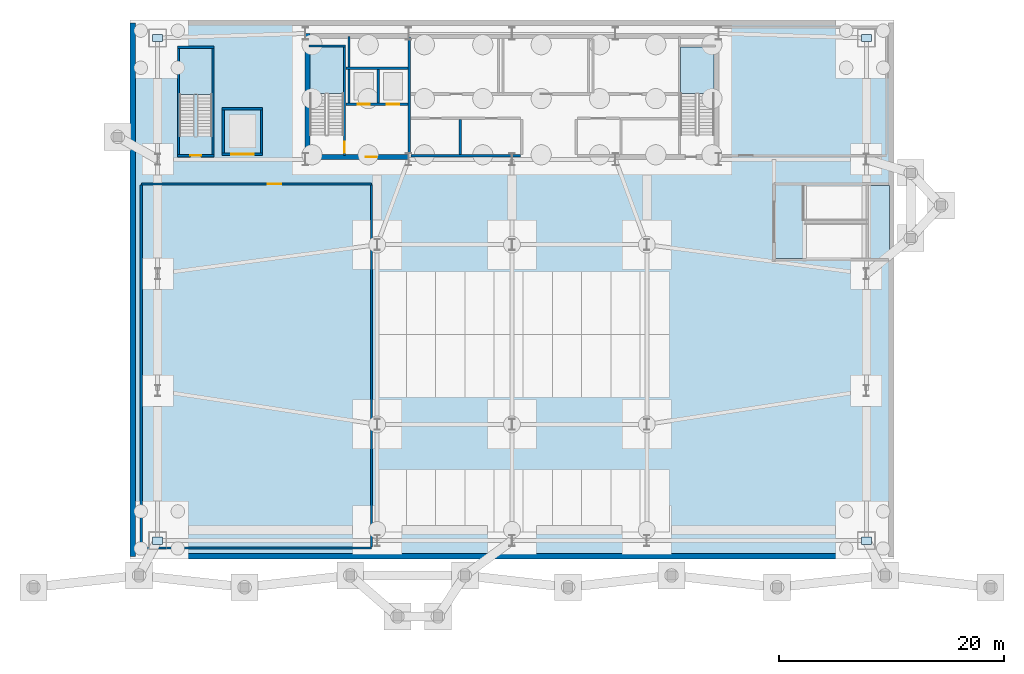
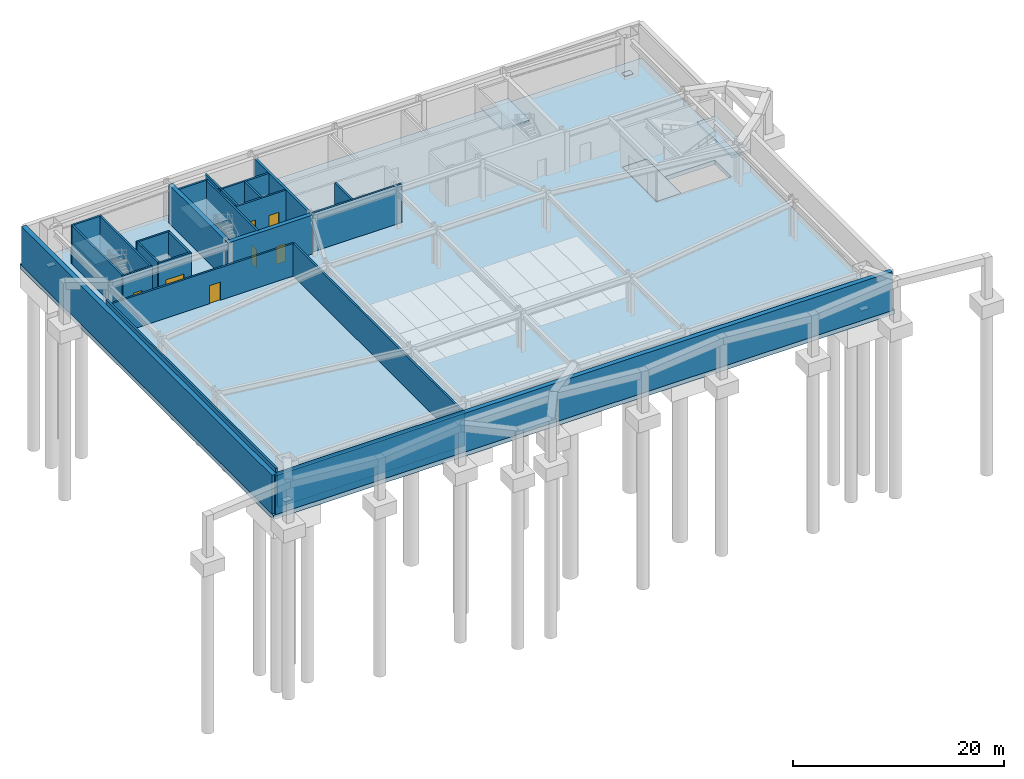
# One storey, part 6 of 12: 25 walls, 7 doors, 6 slabs, 4 plates, 7 openings, 3 elements without a shape of their own.
"""IFC4 building model written with IfcOpenShell, lengths in metres."""

from ifc_helpers import new_model, si_unit, direction, frame, frame_2d, origin, origin_2d, place, context, subcontext, project, spatial, polyline, rectangle, outline, extrude, source, transform, mapped, material, layer, layer_set, type_object, type_shapes, element, fill, aggregate, save


model = new_model("IFC4")

# Units and contexts
model_context = context("Model", 3, precision=1e-05, world=origin(), true_north=direction((0.0, 1.0)))
body_context = subcontext(model_context, "Body", "Model", "MODEL_VIEW")
ifc_project = project(units=[si_unit("LENGTHUNIT", "METRE"), si_unit("AREAUNIT", "SQUARE_METRE"), si_unit("VOLUMEUNIT", "CUBIC_METRE"), si_unit("PLANEANGLEUNIT", "RADIAN"), si_unit("MASSUNIT", "GRAM", prefix="KILO")], contexts=[model_context])

# Site, building, storey
site_placement = place(None, origin())
site = spatial("IfcSite", under=ifc_project, at=site_placement, CompositionType="ELEMENT")
building_placement = place(site_placement, origin())
building = spatial("IfcBuilding", under=site, at=building_placement, Name="Varnel Quay Broadcast Tower", CompositionType="ELEMENT")
storey_placement = place(building_placement, frame((0.0, 0.0, -9.60009765625)))
storey = spatial("IfcBuildingStorey", under=building, at=storey_placement, Name="B2", CompositionType="ELEMENT", Elevation=-9.60009765625)

# Slabs
ifc_material_1 = material(Name="Concrete CSA A23.3 C50/60", Category="concrete")
ifc_layer_1 = layer(ifc_material_1, 0.5, Name="Concrete CSA A23.3 C50/60")
ifc_layer_set_1 = layer_set([ifc_layer_1], Name="Concrete CSA A23.3 C50/60")
slab_type_1 = type_object("IfcSlabType", Name="Slab_Base500", PredefinedType="BASESLAB", material=ifc_layer_set_1)
slab_1_placement = place(storey_placement, frame((0.0, 0.0, -0.5)))
element("IfcSlab", 1, at=slab_1_placement, inside=storey, type_object=slab_type_1, Name="B2 Structural Slab", PredefinedType="BASESLAB", context=body_context, shape_type="SweptSolid", body=[
    extrude(outline(polyline([(0.0, 0.0), (68.0, 0.0), (68.0, 48.0), (0.0, 48.0), (0.0, 0.0)]), holes=[polyline([(65.580078125, 29.919921875), (65.580078125, 26.780029296875), (60.10009765625, 26.780029296875), (60.10009765625, 29.919921875), (65.580078125, 29.919921875)]), polyline([(60.080078125, 33.300048828125), (60.080078125, 26.75), (57.39990234375, 26.75), (57.39990234375, 33.300048828125), (60.080078125, 33.300048828125)])]), origin(), (0.0, 0.0, 1.0), 0.5),
])
ifc_material_2 = material(Name="Concrete CSA A23.3 C40/50", Category="concrete")
ifc_layer_2 = layer(ifc_material_2, 0.300048828125, Name="Concrete CSA A23.3 C40/50")
ifc_layer_set_2 = layer_set([ifc_layer_2], Name="Concrete CSA A23.3 C40/50")
slab_type_2 = type_object("IfcSlabType", Name="Slab_RampLanding300", PredefinedType="FLOOR", material=ifc_layer_set_2)
slab_2_placement = place(storey_placement, frame((0.0, 0.0, 2.10009765625)))
element("IfcSlab", 2, at=slab_2_placement, inside=storey, type_object=slab_type_2, Name="B2 Structural Vehicle Ramp East Mid-Landing Slab", PredefinedType="FLOOR", context=body_context, shape_type="SweptSolid", body=[
    extrude(outline(polyline([(65.580078125, 26.780029296875), (67.60009765625, 26.780029296875), (67.60009765625, 33.280029296875), (65.580078125, 33.280029296875), (65.580078125, 26.780029296875)])), origin(), (0.0, 0.0, 1.0), 0.300048828125),
])
slab_3_placement = place(storey_placement, frame((0.0, 0.0, -0.5)))
element("IfcSlab", 3, at=slab_3_placement, inside=storey, type_object=slab_type_2, Name="B2 Structural Vehicle Ramp West Concourse Slab", PredefinedType="FLOOR", context=body_context, shape_type="SweptSolid", body=[
    extrude(outline(polyline([(57.39990234375, 26.75), (60.080078125, 26.75), (60.080078125, 33.300048828125), (57.39990234375, 33.300048828125), (57.39990234375, 26.75)])), origin(), (0.0, 0.0, 1.0), 0.5),
])

# Stair, slab
ifc_material_3 = material(Name="Precast Structural Concrete C40/50", Category="concrete")
stair_type_1 = type_object("IfcStairType", Name="Stair_ST-01", PredefinedType="HALF_TURN_STAIR", material=ifc_material_3)
stair_1_placement = place(storey_placement, origin())
stair_1 = element("IfcStair", 4, at=stair_1_placement, inside=storey, type_object=stair_type_1, Name="B2 West Core Exit Stair 1", PredefinedType="HALF_TURN_STAIR")
ifc_layer_3 = layer(ifc_material_3, 0.199951171875, Name="Precast Structural Concrete C40/50")
ifc_layer_set_3 = layer_set([ifc_layer_3], Name="Precast Structural Concrete C40/50")
slab_type_3 = type_object("IfcSlabType", Name="Slab_StairLanding200", PredefinedType="LANDING", material=ifc_layer_set_3)
slab_4_placement = place(storey_placement, frame((0.0, 0.0, 2.2001953125)))
slab_4 = element("IfcSlab", 5, at=slab_4_placement, type_object=slab_type_3, Name="ST-01 landing 1", PredefinedType="LANDING", context=body_context, shape_type="SweptSolid", body=[
    extrude(outline(polyline([(19.0, 41.455078125), (19.0, 45.60009765625), (16.0, 45.60009765625), (16.0, 41.455078125), (19.0, 41.455078125)])), origin(), (0.0, 0.0, 1.0), 0.199951171875),
])
aggregate(stair_1, [slab_4])

stair_type_2 = type_object("IfcStairType", Name="Stair_ST-02", PredefinedType="HALF_TURN_STAIR", material=ifc_material_3)
stair_2_placement = place(storey_placement, origin())
stair_2 = element("IfcStair", 6, at=stair_2_placement, inside=storey, type_object=stair_type_2, Name="B2 East Core Exit Stair 2", PredefinedType="HALF_TURN_STAIR")
slab_5_placement = place(storey_placement, frame((0.0, 0.0, 2.2001953125)))
slab_5 = element("IfcSlab", 7, at=slab_5_placement, type_object=slab_type_3, Name="ST-02 landing 1", PredefinedType="LANDING", context=body_context, shape_type="SweptSolid", body=[
    extrude(outline(polyline([(52.0, 41.455078125), (52.0, 45.60009765625), (49.0, 45.60009765625), (49.0, 41.455078125), (52.0, 41.455078125)])), origin(), (0.0, 0.0, 1.0), 0.199951171875),
])
aggregate(stair_2, [slab_5])

stair_type_3 = type_object("IfcStairType", Name="Stair_ST-03", PredefinedType="HALF_TURN_STAIR", material=ifc_material_3)
stair_3_placement = place(storey_placement, origin())
stair_3 = element("IfcStair", 8, at=stair_3_placement, inside=storey, type_object=stair_type_3, Name="B2 Podium Studio Exit Stair 3", PredefinedType="HALF_TURN_STAIR")
slab_6_placement = place(storey_placement, frame((0.0, 0.0, 2.2001953125)))
slab_6 = element("IfcSlab", 9, at=slab_6_placement, type_object=slab_type_3, Name="ST-03 landing 1", PredefinedType="LANDING", context=body_context, shape_type="SweptSolid", body=[
    extrude(outline(polyline([(7.300048828125, 41.35498046875), (7.300048828125, 45.5), (4.39990234375, 45.5), (4.39990234375, 41.35498046875), (7.300048828125, 41.35498046875)])), origin(), (0.0, 0.0, 1.0), 0.199951171875),
])
aggregate(stair_3, [slab_6])

# Plates
ifc_material_4 = material(Name="Structural Steel CSA G40.21 350WT", Category="steel")
ifc_layer_4 = layer(ifc_material_4, 0.050048828125, Name="Structural Steel CSA G40.21 350WT")
ifc_layer_set_4 = layer_set([ifc_layer_4], Name="Structural Steel CSA G40.21 350WT")
plate_type = type_object("IfcPlateType", Name="Plate_BasePlate", PredefinedType="SHEET", material=ifc_layer_set_4)
shared_shape_1 = source(origin(), body_context, "Body", "SweptSolid", [
    extrude(rectangle(XDim=0.89990234375, YDim=0.64990234375, at=origin_2d()), origin(), (0.0, 0.0, 1.0), 0.050048828125),
])
type_shapes(plate_type, [shared_shape_1])
for number, where, z_axis, x_axis, name in (
    (10, (2.449951171875, 1.64990234375, 0.0), (0.0, 0.0, 1.0), (1.0, 0.0, 0.0), "Base Plate FT-MC-SW"),
    (11, (65.550048828125, 1.64990234375, 0.0), (0.0, 0.0, 1.0), (1.0, 0.0, 0.0), "Base Plate FT-MC-SE"),
    (12, (65.550048828125, 46.39990234375, 0.0), (0.0, 0.0, 1.0), (1.0, 0.0, 0.0), "Base Plate FT-MC-NE"),
    (13, (2.449951171875, 46.39990234375, 0.0), (0.0, 0.0, 1.0), (1.0, 0.0, 0.0), "Base Plate FT-MC-NW"),
):
    element("IfcPlate", number, at=place(storey_placement, frame(where, z_axis=z_axis, x_axis=x_axis)), inside=storey, type_object=plate_type, Name=name, PredefinedType="SHEET", context=body_context, shape_type="MappedRepresentation", body=[
        mapped(shared_shape_1, transform((0.0, 0.0, 0.0), x_axis=(1.0, 0.0, 0.0), y_axis=(0.0, 1.0, 0.0), z_axis=(0.0, 0.0, 1.0), scale=1.0)),
    ])

# Walls
ifc_layer_5 = layer(ifc_material_1, 0.5, Name="Concrete CSA A23.3 C50/60")
ifc_layer_set_5 = layer_set([ifc_layer_5], Name="Concrete CSA A23.3 C50/60")
wall_type_1 = type_object("IfcWallType", Name="Wall_BasementRetaining500", PredefinedType="USERDEFINED", material=ifc_layer_set_5)
wall_1_placement = place(storey_placement, frame((0.25, 0.25, 0.0), z_axis=(0.0, 0.0, 1.0), x_axis=(1.0, 0.0, 0.0)))
element("IfcWall", 14, at=wall_1_placement, inside=storey, type_object=wall_type_1, Name="B2 Perimeter Retaining Wall S", ObjectType="RETAININGWALL", PredefinedType="USERDEFINED", context=body_context, shape_type="SweptSolid", body=[
    extrude(rectangle(XDim=67.5, YDim=0.5, at=frame_2d((33.75, 0.0))), origin(), (0.0, 0.0, 1.0), 4.47998046875),
])
wall_2_placement = place(storey_placement, frame((0.25, 47.75, 0.0), z_axis=(0.0, 0.0, 1.0), x_axis=(0.0, -1.0, 0.0)))
element("IfcWall", 15, at=wall_2_placement, inside=storey, type_object=wall_type_1, Name="B2 Perimeter Retaining Wall W", ObjectType="RETAININGWALL", PredefinedType="USERDEFINED", context=body_context, shape_type="SweptSolid", body=[
    extrude(rectangle(XDim=47.5, YDim=0.5, at=frame_2d((23.75, 0.0))), origin(), (0.0, 0.0, 1.0), 4.47998046875),
])

# Wall, opening, door
ifc_layer_6 = layer(ifc_material_1, 0.199951171875, Name="Concrete CSA A23.3 C50/60")
ifc_layer_set_6 = layer_set([ifc_layer_6], Name="Concrete CSA A23.3 C50/60")
wall_type_2 = type_object("IfcWallType", Name="Wall_CoreShaftShear200", PredefinedType="SHEAR", material=ifc_layer_set_6)
wall_3_placement = place(storey_placement, frame((19.080078125, 35.949951171875, 0.0), z_axis=(0.0, 0.0, 1.0), x_axis=(0.0, 1.0, 0.0)))
wall_3 = element("IfcWall", 16, at=wall_3_placement, inside=storey, type_object=wall_type_2, Name="B2 Stair 1 East Structural Wall", PredefinedType="SHEAR", context=body_context, shape_type="SweptSolid", body=[
    extrude(rectangle(XDim=9.650146484375, YDim=0.199951171875, at=frame_2d((4.8251953125, 0.0))), origin(), (0.0, 0.0, 1.0), 4.47998046875),
])
opening_1_placement = place(wall_3_placement, frame((0.25, 0.0, 0.0)))
opening_1 = element("IfcOpeningElement", 17, at=opening_1_placement, cuts=wall_3, Name="Opening D-B2-S1", PredefinedType="OPENING", context=body_context, shape_type="SweptSolid", body=[
    extrude(rectangle(XDim=0.949951171875, YDim=2.10009765625, at=frame_2d((0.47509765625, 1.050048828125))), frame((0.0, 0.10986328125, 0.0), z_axis=(0.0, -1.0, 0.0), x_axis=(1.0, 0.0, 0.0)), (0.0, 0.0, 1.0), 0.219970703125),
])
ifc_material_5 = material(Name="Insulated Fire-Rated Hollow Steel Door", Category="steel")
door_type_1 = type_object("IfcDoorType", Name="Door_FireStair950", OperationType="NOTDEFINED", PredefinedType="DOOR", material=ifc_material_5)
shared_shape_2 = source(origin(), body_context, "Body", "SweptSolid", [
    extrude(rectangle(XDim=0.949951171875, YDim=2.10009765625, at=frame_2d((0.47509765625, 1.050048828125))), frame((0.0, 0.02490234375, 0.0), z_axis=(0.0, -1.0, 0.0), x_axis=(1.0, 0.0, 0.0)), (0.0, 0.0, 1.0), 0.050048828125),
])
type_shapes(door_type_1, [shared_shape_2])
door_1_placement = place(opening_1_placement, origin())
door_1 = element("IfcDoor", 18, at=door_1_placement, inside=storey, type_object=door_type_1, Name="B2 Stair 1 Fire Door", OperationType="SINGLE_SWING_LEFT", OverallHeight=2.10009765625, OverallWidth=0.949951171875, PredefinedType="DOOR", context=body_context, shape_type="MappedRepresentation", body=[
    mapped(shared_shape_2, transform((0.0, 0.0, 0.0), x_axis=(1.0, 0.0, 0.0), y_axis=(0.0, 1.0, 0.0), z_axis=(0.0, 0.0, 1.0), scale=1.0)),
])
fill(opening_1, door_1)

# Wall
wall_4_placement = place(storey_placement, frame((15.949951171875, 45.679931640625, 0.0), z_axis=(0.0, 0.0, 1.0), x_axis=(1.0, 0.0, 0.0)))
element("IfcWall", 19, at=wall_4_placement, inside=storey, type_object=wall_type_2, Name="B2 Stair 1 North Structural Wall", PredefinedType="SHEAR", context=body_context, shape_type="SweptSolid", body=[
    extrude(rectangle(XDim=3.22998046875, YDim=0.199951171875, at=frame_2d((1.614990234375, 0.0))), origin(), (0.0, 0.0, 1.0), 4.47998046875),
])

# Wall, openings, doors
wall_5_placement = place(storey_placement, frame((19.199951171875, 40.5, 0.0), z_axis=(0.0, 0.0, 1.0), x_axis=(1.0, 0.0, 0.0)))
wall_5 = element("IfcWall", 20, at=wall_5_placement, inside=storey, type_object=wall_type_2, Name="B2 Firefighter Lift Shaft Front Wall", PredefinedType="SHEAR", context=body_context, shape_type="SweptSolid", body=[
    extrude(rectangle(XDim=5.52001953125, YDim=0.199951171875, at=frame_2d((2.760009765625, 0.0))), origin(), (0.0, 0.0, 1.0), 4.47998046875),
])
opening_2_placement = place(wall_5_placement, frame((1.050048828125, 0.0, 0.0)))
opening_2 = element("IfcOpeningElement", 21, at=opening_2_placement, cuts=wall_5, Name="Opening LD-B2-FE1", PredefinedType="OPENING", context=body_context, shape_type="SweptSolid", body=[
    extrude(rectangle(XDim=1.10009765625, YDim=2.179931640625, at=frame_2d((0.550048828125, 1.08984375))), frame((0.0, 0.10986328125, 0.0), z_axis=(0.0, -1.0, 0.0), x_axis=(1.0, 0.0, 0.0)), (0.0, 0.0, 1.0), 0.219970703125),
])
opening_3_placement = place(wall_5_placement, frame((3.64990234375, 0.0, 0.0)))
opening_3 = element("IfcOpeningElement", 22, at=opening_3_placement, cuts=wall_5, Name="Opening LD-B2-FE2", PredefinedType="OPENING", context=body_context, shape_type="SweptSolid", body=[
    extrude(rectangle(XDim=1.10009765625, YDim=2.179931640625, at=frame_2d((0.550048828125, 1.08984375))), frame((0.0, 0.10986328125, 0.0), z_axis=(0.0, -1.0, 0.0), x_axis=(1.0, 0.0, 0.0)), (0.0, 0.0, 1.0), 0.219970703125),
])
ifc_material_6 = material(Name="Brushed Bronze-Stainless Lift Car & Sliding Doors", Category="steel")
door_type_2 = type_object("IfcDoorType", Name="Door_LiftLanding1100", OperationType="SLIDING_TO_LEFT", PredefinedType="DOOR", material=ifc_material_6)
shared_shape_3 = source(origin(), body_context, "Body", "SweptSolid", [
    extrude(rectangle(XDim=1.10009765625, YDim=2.179931640625, at=frame_2d((0.550048828125, 1.08984375))), frame((0.0, 0.02490234375, 0.0), z_axis=(0.0, -1.0, 0.0), x_axis=(1.0, 0.0, 0.0)), (0.0, 0.0, 1.0), 0.050048828125),
])
type_shapes(door_type_2, [shared_shape_3])
door_2_placement = place(opening_2_placement, frame((1.10009765625, 0.0, 0.0), z_axis=(0.0, 0.0, 1.0), x_axis=(-1.0, 0.0, 0.0)))
door_2 = element("IfcDoor", 23, at=door_2_placement, inside=storey, type_object=door_type_2, Name="B2 Firefighter Lift FE-01 Landing Door", OperationType="SLIDING_TO_LEFT", OverallHeight=2.179931640625, OverallWidth=1.10009765625, PredefinedType="DOOR", context=body_context, shape_type="MappedRepresentation", body=[
    mapped(shared_shape_3, transform((0.0, 0.0, 0.0), x_axis=(1.0, 0.0, 0.0), y_axis=(0.0, 1.0, 0.0), z_axis=(0.0, 0.0, 1.0), scale=1.0)),
])
fill(opening_2, door_2)
door_3_placement = place(opening_3_placement, frame((1.10009765625, 0.0, 0.0), z_axis=(0.0, 0.0, 1.0), x_axis=(-1.0, 0.0, 0.0)))
door_3 = element("IfcDoor", 24, at=door_3_placement, inside=storey, type_object=door_type_2, Name="B2 Firefighter Lift FE-02 Landing Door", OperationType="SLIDING_TO_RIGHT", OverallHeight=2.179931640625, OverallWidth=1.10009765625, PredefinedType="DOOR", context=body_context, shape_type="MappedRepresentation", body=[
    mapped(shared_shape_3, transform((0.0, 0.0, 0.0), x_axis=(1.0, 0.0, 0.0), y_axis=(0.0, 1.0, 0.0), z_axis=(0.0, 0.0, 1.0), scale=1.0)),
])
fill(opening_3, door_3)

# Walls
wall_6_placement = place(storey_placement, frame((19.199951171875, 43.699951171875, 0.0), z_axis=(0.0, 0.0, 1.0), x_axis=(1.0, 0.0, 0.0)))
element("IfcWall", 25, at=wall_6_placement, inside=storey, type_object=wall_type_2, Name="B2 Firefighter Lift Shaft Rear Wall", PredefinedType="SHEAR", context=body_context, shape_type="SweptSolid", body=[
    extrude(rectangle(XDim=5.52001953125, YDim=0.199951171875, at=frame_2d((2.760009765625, 0.0))), origin(), (0.0, 0.0, 1.0), 4.47998046875),
])
wall_7_placement = place(storey_placement, frame((22.10009765625, 40.60009765625, 0.0), z_axis=(0.0, 0.0, 1.0), x_axis=(0.0, 1.0, 0.0)))
element("IfcWall", 26, at=wall_7_placement, inside=storey, type_object=wall_type_2, Name="B2 Firefighter Lift Shaft Divider", PredefinedType="SHEAR", context=body_context, shape_type="SweptSolid", body=[
    extrude(rectangle(XDim=3.0, YDim=0.199951171875, at=frame_2d((1.5, 0.0))), origin(), (0.0, 0.0, 1.0), 4.47998046875),
])
wall_8_placement = place(storey_placement, frame((19.5, 40.60009765625, 0.0), z_axis=(0.0, 0.0, 1.0), x_axis=(0.0, 1.0, 0.0)))
element("IfcWall", 27, at=wall_8_placement, inside=storey, type_object=wall_type_2, Name="B2 Firefighter Lift Shaft West Wall", PredefinedType="SHEAR", context=body_context, shape_type="SweptSolid", body=[
    extrude(rectangle(XDim=5.949951171875, YDim=0.199951171875, at=frame_2d((2.97509765625, 0.0))), origin(), (0.0, 0.0, 1.0), 4.47998046875),
])
for number, where, z_axis, x_axis, name in (
    (28, (4.320068359375, 36.0, 0.0), (0.0, 0.0, 1.0), (0.0, 1.0, 0.0), "B2 Podium Stair 3 W Structural Wall"),
    (29, (7.3798828125, 36.0, 0.0), (0.0, 0.0, 1.0), (0.0, 1.0, 0.0), "B2 Podium Stair 3 E Structural Wall"),
):
    element("IfcWall", number, at=place(storey_placement, frame(where, z_axis=z_axis, x_axis=x_axis)), inside=storey, type_object=wall_type_2, Name=name, PredefinedType="SHEAR", context=body_context, shape_type="SweptSolid", body=[
        extrude(rectangle(XDim=9.60009765625, YDim=0.199951171875, at=frame_2d((4.800048828125, 0.0))), origin(), (0.0, 0.0, 1.0), 4.47998046875),
    ])
wall_9_placement = place(storey_placement, frame((4.219970703125, 45.580078125, 0.0), z_axis=(0.0, 0.0, 1.0), x_axis=(1.0, 0.0, 0.0)))
element("IfcWall", 30, at=wall_9_placement, inside=storey, type_object=wall_type_2, Name="B2 Podium Stair 3 N Structural Wall", PredefinedType="SHEAR", context=body_context, shape_type="SweptSolid", body=[
    extrude(rectangle(XDim=3.260009765625, YDim=0.199951171875, at=frame_2d((1.6298828125, 0.0))), origin(), (0.0, 0.0, 1.0), 4.47998046875),
])

# Wall, opening, door
wall_10_placement = place(storey_placement, frame((4.219970703125, 35.919921875, 0.0), z_axis=(0.0, 0.0, 1.0), x_axis=(1.0, 0.0, 0.0)))
wall_10 = element("IfcWall", 31, at=wall_10_placement, inside=storey, type_object=wall_type_2, Name="B2 Podium Stair 3 South Structural Wall", PredefinedType="SHEAR", context=body_context, shape_type="SweptSolid", body=[
    extrude(rectangle(XDim=3.260009765625, YDim=0.199951171875, at=frame_2d((1.6298828125, 0.0))), origin(), (0.0, 0.0, 1.0), 4.47998046875),
])
opening_4_placement = place(wall_10_placement, frame((1.14990234375, 0.0, 0.0)))
opening_4 = element("IfcOpeningElement", 32, at=opening_4_placement, cuts=wall_10, Name="Opening D-B2-S3", PredefinedType="OPENING", context=body_context, shape_type="SweptSolid", body=[
    extrude(rectangle(XDim=0.949951171875, YDim=2.10009765625, at=frame_2d((0.47509765625, 1.050048828125))), frame((0.0, 0.10986328125, 0.0), z_axis=(0.0, -1.0, 0.0), x_axis=(1.0, 0.0, 0.0)), (0.0, 0.0, 1.0), 0.219970703125),
])
door_4_placement = place(opening_4_placement, origin())
door_4 = element("IfcDoor", 33, at=door_4_placement, inside=storey, type_object=door_type_1, Name="B2 Podium Stair 3 Fire Door", OperationType="SINGLE_SWING_LEFT", OverallHeight=2.10009765625, OverallWidth=0.949951171875, PredefinedType="DOOR", context=body_context, shape_type="MappedRepresentation", body=[
    mapped(shared_shape_2, transform((0.0, 0.0, 0.0), x_axis=(1.0, 0.0, 0.0), y_axis=(0.0, 1.0, 0.0), z_axis=(0.0, 0.0, 1.0), scale=1.0)),
])
fill(opening_4, door_4)

# Walls
for number, where, z_axis, x_axis, name in (
    (34, (8.300048828125, 36.14990234375, 0.0), (0.0, 0.0, 1.0), (0.0, 1.0, 0.0), "B2 Freight Lift Shaft W Wall"),
    (35, (11.699951171875, 36.14990234375, 0.0), (0.0, 0.0, 1.0), (0.0, 1.0, 0.0), "B2 Freight Lift Shaft E Wall"),
):
    element("IfcWall", number, at=place(storey_placement, frame(where, z_axis=z_axis, x_axis=x_axis)), inside=storey, type_object=wall_type_2, Name=name, PredefinedType="SHEAR", context=body_context, shape_type="SweptSolid", body=[
        extrude(rectangle(XDim=3.85009765625, YDim=0.199951171875, at=frame_2d((1.925048828125, 0.0))), origin(), (0.0, 0.0, 1.0), 4.47998046875),
    ])
wall_11_placement = place(storey_placement, frame((8.199951171875, 40.10009765625, 0.0), z_axis=(0.0, 0.0, 1.0), x_axis=(1.0, 0.0, 0.0)))
element("IfcWall", 36, at=wall_11_placement, inside=storey, type_object=wall_type_2, Name="B2 Freight Lift Shaft N Wall", PredefinedType="SHEAR", context=body_context, shape_type="SweptSolid", body=[
    extrude(rectangle(XDim=3.60009765625, YDim=0.199951171875, at=frame_2d((1.800048828125, 0.0))), origin(), (0.0, 0.0, 1.0), 4.47998046875),
])

# Wall, opening, door
wall_12_placement = place(storey_placement, frame((8.199951171875, 36.050048828125, 0.0), z_axis=(0.0, 0.0, 1.0), x_axis=(1.0, 0.0, 0.0)))
wall_12 = element("IfcWall", 37, at=wall_12_placement, inside=storey, type_object=wall_type_2, Name="B2 Studio Freight Lift Front Wall", PredefinedType="SHEAR", context=body_context, shape_type="SweptSolid", body=[
    extrude(rectangle(XDim=3.60009765625, YDim=0.199951171875, at=frame_2d((1.800048828125, 0.0))), origin(), (0.0, 0.0, 1.0), 4.47998046875),
])
opening_5_placement = place(wall_12_placement, frame((0.800048828125, 0.0, 0.0)))
opening_5 = element("IfcOpeningElement", 38, at=opening_5_placement, cuts=wall_12, Name="Opening LD-B2-BF1", PredefinedType="OPENING", context=body_context, shape_type="SweptSolid", body=[
    extrude(rectangle(XDim=2.0, YDim=2.280029296875, at=frame_2d((1.0, 1.14013671875))), frame((0.0, 0.10986328125, 0.0), z_axis=(0.0, -1.0, 0.0), x_axis=(1.0, 0.0, 0.0)), (0.0, 0.0, 1.0), 0.219970703125),
])
door_type_3 = type_object("IfcDoorType", Name="Door_FreightLanding2000", OperationType="DOUBLE_DOOR_SLIDING", PredefinedType="DOOR", material=ifc_material_6)
shared_shape_4 = source(origin(), body_context, "Body", "SweptSolid", [
    extrude(rectangle(XDim=2.0, YDim=2.280029296875, at=frame_2d((1.0, 1.14013671875))), frame((0.0, 0.02490234375, 0.0), z_axis=(0.0, -1.0, 0.0), x_axis=(1.0, 0.0, 0.0)), (0.0, 0.0, 1.0), 0.050048828125),
])
type_shapes(door_type_3, [shared_shape_4])
door_5_placement = place(opening_5_placement, frame((2.0, 0.0, 0.0), z_axis=(0.0, 0.0, 1.0), x_axis=(-1.0, 0.0, 0.0)))
door_5 = element("IfcDoor", 39, at=door_5_placement, inside=storey, type_object=door_type_3, Name="B2 Freight Lift BF-01 Landing Door", OperationType="DOUBLE_DOOR_SLIDING", OverallHeight=2.280029296875, OverallWidth=2.0, PredefinedType="DOOR", context=body_context, shape_type="MappedRepresentation", body=[
    mapped(shared_shape_4, transform((0.0, 0.0, 0.0), x_axis=(1.0, 0.0, 0.0), y_axis=(0.0, 1.0, 0.0), z_axis=(0.0, 0.0, 1.0), scale=1.0)),
])
fill(opening_5, door_5)

# Walls
ifc_layer_7 = layer(ifc_material_1, 0.25, Name="Concrete CSA A23.3 C50/60")
ifc_layer_set_7 = layer_set([ifc_layer_7], Name="Concrete CSA A23.3 C50/60")
wall_type_3 = type_object("IfcWallType", Name="Wall_CoreShaftShear250", PredefinedType="SHEAR", material=ifc_layer_set_7)
wall_13_placement = place(storey_placement, frame((24.85009765625, 36.050048828125, 0.0), z_axis=(0.0, 0.0, 1.0), x_axis=(0.0, 1.0, 0.0)))
element("IfcWall", 40, at=wall_13_placement, inside=storey, type_object=wall_type_3, Name="B2 Firefighting Lobby East Structural Wall", PredefinedType="SHEAR", context=body_context, shape_type="SweptSolid", body=[
    extrude(rectangle(XDim=10.449951171875, YDim=0.25, at=frame_2d((5.22509765625, 0.0))), origin(), (0.0, 0.0, 1.0), 4.47998046875),
])
ifc_material_7 = material(Name="Concrete CSA A23.3 C60/75", Category="concrete")
ifc_layer_8 = layer(ifc_material_7, 0.449951171875, Name="Concrete CSA A23.3 C60/75")
ifc_layer_set_8 = layer_set([ifc_layer_8], Name="Concrete CSA A23.3 C60/75")
wall_type_4 = type_object("IfcWallType", Name="Wall_CoreShearInt450", PredefinedType="SHEAR", material=ifc_layer_set_8)
wall_14_placement = place(storey_placement, frame((15.794921875, 35.570068359375, 0.0), z_axis=(0.0, 0.0, 1.0), x_axis=(0.0, 1.0, 0.0)))
element("IfcWall", 41, at=wall_14_placement, inside=storey, type_object=wall_type_4, Name="B2 West Core Shear Wall", PredefinedType="SHEAR", context=body_context, shape_type="SweptSolid", body=[
    extrude(rectangle(XDim=11.22998046875, YDim=0.449951171875, at=frame_2d((5.614990234375, 0.0))), origin(), (0.0, 0.0, 1.0), 4.47998046875),
])

# Wall, opening, door
wall_15_placement = place(storey_placement, frame((15.570068359375, 35.794921875, 0.0), z_axis=(0.0, 0.0, 1.0), x_axis=(1.0, 0.0, 0.0)))
wall_15 = element("IfcWall", 42, at=wall_15_placement, inside=storey, type_object=wall_type_4, Name="B2 South-West Core Shear Wall", PredefinedType="SHEAR", context=body_context, shape_type="SweptSolid", body=[
    extrude(rectangle(XDim=9.22998046875, YDim=0.449951171875, at=frame_2d((4.614990234375, 0.0))), origin(), (0.0, 0.0, 1.0), 4.47998046875),
])
opening_6_placement = place(wall_15_placement, frame((5.39990234375, 0.0, 0.0)))
opening_6 = element("IfcOpeningElement", 43, at=opening_6_placement, cuts=wall_15, Name="Opening D-B2-FFL", PredefinedType="OPENING", context=body_context, shape_type="SweptSolid", body=[
    extrude(rectangle(XDim=1.0, YDim=2.10009765625, at=frame_2d((0.5, 1.050048828125))), frame((0.0, 0.23486328125, 0.0), z_axis=(0.0, -1.0, 0.0), x_axis=(1.0, 0.0, 0.0)), (0.0, 0.0, 1.0), 0.469970703125),
])
door_type_4 = type_object("IfcDoorType", Name="Door_FireLobby1000", OperationType="NOTDEFINED", PredefinedType="DOOR", material=ifc_material_5)
shared_shape_5 = source(origin(), body_context, "Body", "SweptSolid", [
    extrude(rectangle(XDim=1.0, YDim=2.10009765625, at=frame_2d((0.5, 1.050048828125))), frame((0.0, 0.02490234375, 0.0), z_axis=(0.0, -1.0, 0.0), x_axis=(1.0, 0.0, 0.0)), (0.0, 0.0, 1.0), 0.050048828125),
])
type_shapes(door_type_4, [shared_shape_5])
door_6_placement = place(opening_6_placement, origin())
door_6 = element("IfcDoor", 44, at=door_6_placement, inside=storey, type_object=door_type_4, Name="B2 Firefighting Lobby Door", OperationType="SINGLE_SWING_RIGHT", OverallHeight=2.10009765625, OverallWidth=1.0, PredefinedType="DOOR", context=body_context, shape_type="MappedRepresentation", body=[
    mapped(shared_shape_5, transform((0.0, 0.0, 0.0), x_axis=(1.0, 0.0, 0.0), y_axis=(0.0, 1.0, 0.0), z_axis=(0.0, 0.0, 1.0), scale=1.0)),
])
fill(opening_6, door_6)

# Walls
ifc_material_8 = material(Name="Concrete Blockwork Fire Enclosure C40/50", Category="masonry")
ifc_layer_9 = layer(ifc_material_8, 0.199951171875, Name="Concrete Blockwork Fire Enclosure C40/50")
ifc_layer_set_9 = layer_set([ifc_layer_9], Name="Concrete Blockwork Fire Enclosure C40/50")
wall_type_5 = type_object("IfcWallType", Name="Wall_FireShaft200", PredefinedType="SOLIDWALL", material=ifc_layer_set_9)
wall_16_placement = place(storey_placement, frame((1.0, 1.0, 0.0), z_axis=(0.0, 0.0, 1.0), x_axis=(1.0, 0.0, 0.0)))
element("IfcWall", 45, at=wall_16_placement, inside=storey, type_object=wall_type_5, Name="B2 Deep Lake Water Chiller Plant Room Partition 8", PredefinedType="SOLIDWALL", context=body_context, shape_type="SweptSolid", body=[
    extrude(rectangle(XDim=20.5, YDim=0.199951171875, at=frame_2d((10.25, 0.0))), origin(), (0.0, 0.0, 1.0), 3.97509765625),
])
wall_17_placement = place(storey_placement, frame((21.5, 1.10009765625, 0.0), z_axis=(0.0, 0.0, 1.0), x_axis=(0.0, 1.0, 0.0)))
element("IfcWall", 46, at=wall_17_placement, inside=storey, type_object=wall_type_5, Name="B2 Deep Lake Water Chiller Plant Room Partition 9", PredefinedType="SOLIDWALL", context=body_context, shape_type="SweptSolid", body=[
    extrude(rectangle(XDim=32.199951171875, YDim=0.199951171875, at=frame_2d((16.10009765625, 0.0))), origin(), (0.0, 0.0, 1.0), 3.760009765625),
])

# Wall, opening, door
wall_18_placement = place(storey_placement, frame((1.0, 33.39990234375, 0.0), z_axis=(0.0, 0.0, 1.0), x_axis=(1.0, 0.0, 0.0)))
wall_18 = element("IfcWall", 47, at=wall_18_placement, inside=storey, type_object=wall_type_5, Name="B2 Deep Lake Water Chiller Plant Room Partition 10", PredefinedType="SOLIDWALL", context=body_context, shape_type="SweptSolid", body=[
    extrude(rectangle(XDim=20.5, YDim=0.199951171875, at=frame_2d((10.25, 0.0))), origin(), (0.0, 0.0, 1.0), 3.760009765625),
])
opening_7_placement = place(wall_18_placement, frame((11.25, 0.0, 0.0)))
opening_7 = element("IfcOpeningElement", 48, at=opening_7_placement, cuts=wall_18, Name="Opening D-B2-04", PredefinedType="OPENING", context=body_context, shape_type="SweptSolid", body=[
    extrude(rectangle(XDim=1.199951171875, YDim=2.10009765625, at=frame_2d((0.60009765625, 1.050048828125))), frame((0.0, 0.10986328125, 0.0), z_axis=(0.0, -1.0, 0.0), x_axis=(1.0, 0.0, 0.0)), (0.0, 0.0, 1.0), 0.219970703125),
])
door_type_5 = type_object("IfcDoorType", Name="Door_Plant1200", OperationType="NOTDEFINED", PredefinedType="DOOR", material=ifc_material_5)
shared_shape_6 = source(origin(), body_context, "Body", "SweptSolid", [
    extrude(rectangle(XDim=1.199951171875, YDim=2.10009765625, at=frame_2d((0.60009765625, 1.050048828125))), frame((0.0, 0.02490234375, 0.0), z_axis=(0.0, -1.0, 0.0), x_axis=(1.0, 0.0, 0.0)), (0.0, 0.0, 1.0), 0.050048828125),
])
type_shapes(door_type_5, [shared_shape_6])
door_7_placement = place(opening_7_placement, origin())
door_7 = element("IfcDoor", 49, at=door_7_placement, inside=storey, type_object=door_type_5, Name="B2 Deep Lake Water Chiller Plant Room Door D-B2-04", OperationType="SINGLE_SWING_LEFT", OverallHeight=2.10009765625, OverallWidth=1.199951171875, PredefinedType="DOOR", context=body_context, shape_type="MappedRepresentation", body=[
    mapped(shared_shape_6, transform((0.0, 0.0, 0.0), x_axis=(1.0, 0.0, 0.0), y_axis=(0.0, 1.0, 0.0), z_axis=(0.0, 0.0, 1.0), scale=1.0)),
])
fill(opening_7, door_7)

# Walls
wall_19_placement = place(storey_placement, frame((1.0, 1.10009765625, 0.0), z_axis=(0.0, 0.0, 1.0), x_axis=(0.0, 1.0, 0.0)))
element("IfcWall", 50, at=wall_19_placement, inside=storey, type_object=wall_type_5, Name="B2 Deep Lake Water Chiller Plant Room Partition 11", PredefinedType="SOLIDWALL", context=body_context, shape_type="SweptSolid", body=[
    extrude(rectangle(XDim=32.199951171875, YDim=0.199951171875, at=frame_2d((16.10009765625, 0.0))), origin(), (0.0, 0.0, 1.0), 4.460205078125),
])
ifc_material_9 = material(Name="Fire-Rated Moisture-Resistant Plumbing Chase Partition")
ifc_layer_10 = layer(ifc_material_9, 0.199951171875, Name="Fire-Rated Moisture-Resistant Plumbing Chase Partition")
ifc_layer_set_10 = layer_set([ifc_layer_10], Name="Fire-Rated Moisture-Resistant Plumbing Chase Partition")
wall_type_6 = type_object("IfcWallType", Name="Wall_Plumbing200", PredefinedType="PLUMBINGWALL", material=ifc_layer_set_10)
wall_20_placement = place(storey_placement, frame((25.0, 35.925048828125, 0.0), z_axis=(0.0, 0.0, 1.0), x_axis=(1.0, 0.0, 0.0)))
element("IfcWall", 51, at=wall_20_placement, inside=storey, type_object=wall_type_6, Name="B2 Accessible Washroom Partition 1", PredefinedType="PLUMBINGWALL", context=body_context, shape_type="SweptSolid", body=[
    extrude(rectangle(XDim=9.75, YDim=0.199951171875, at=frame_2d((4.875, 0.0))), origin(), (0.0, 0.0, 1.0), 4.460205078125),
])
wall_21_placement = place(storey_placement, frame((29.39990234375, 36.02490234375, 0.0), z_axis=(0.0, 0.0, 1.0), x_axis=(0.0, 1.0, 0.0)))
element("IfcWall", 52, at=wall_21_placement, inside=storey, type_object=wall_type_6, Name="B2 Accessible Washroom Partition 2", PredefinedType="PLUMBINGWALL", context=body_context, shape_type="SweptSolid", body=[
    extrude(rectangle(XDim=3.125, YDim=0.199951171875, at=frame_2d((1.5625, 0.0))), origin(), (0.0, 0.0, 1.0), 4.460205078125),
])

save(model, "model.ifc")
